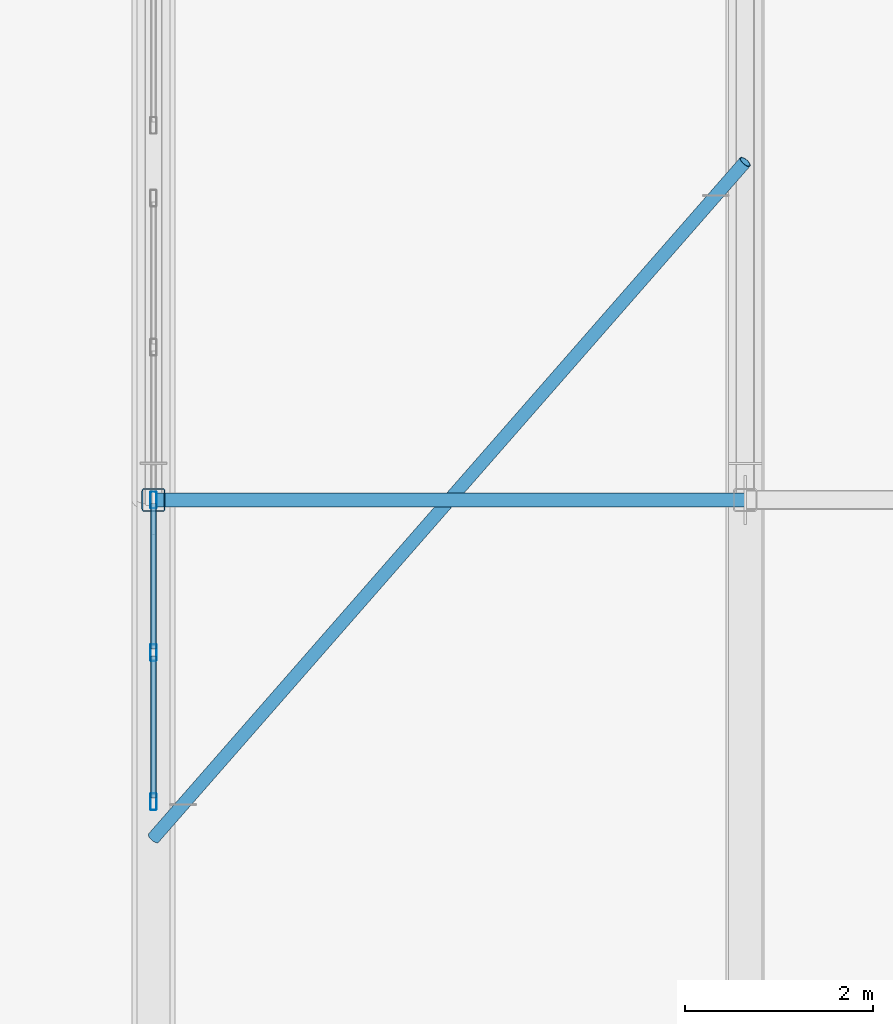
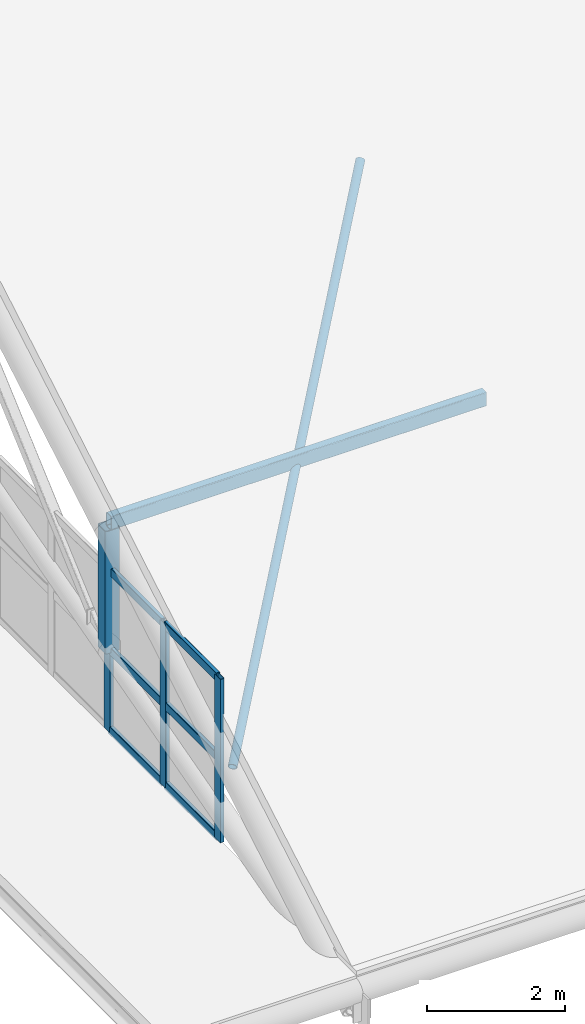
# One storey, part 2 of 54: 12 members, 1 element without a shape of its own.
"""IFC4 building model written with IfcOpenShell, lengths in metres."""

from ifc_helpers import new_model, si_unit, direction, frame, origin, origin_2d, place, context, subcontext, project, spatial, hollow_rectangle, hollow_circle, extrude, material, layer, layer_set, material_profile, profile_set, type_object, element, aggregate, save


model = new_model("IFC4")

# Units and contexts
model_context = context("Model", 3, precision=1e-05, world=origin(), true_north=direction((0.0, 1.0)))
body_context = subcontext(model_context, "Body", "Model", "MODEL_VIEW")
ifc_project = project(units=[si_unit("LENGTHUNIT", "METRE"), si_unit("AREAUNIT", "SQUARE_METRE"), si_unit("VOLUMEUNIT", "CUBIC_METRE"), si_unit("PLANEANGLEUNIT", "RADIAN"), si_unit("MASSUNIT", "GRAM", prefix="KILO")], contexts=[model_context])

# Site, building, storey
site_placement = place(None, origin())
site = spatial("IfcSite", under=ifc_project, at=site_placement, CompositionType="ELEMENT")
building_placement = place(site_placement, origin())
building = spatial("IfcBuilding", under=site, at=building_placement, Name="Zulmaris Art Gallery", CompositionType="ELEMENT")
storey_placement = place(building_placement, frame((0.0, 0.0, 26.39990234375)))
storey = spatial("IfcBuildingStorey", under=building, at=storey_placement, Name="L05", CompositionType="ELEMENT", Elevation=26.39990234375)

# Curtain wall, members
ifc_material_1 = material(Name="Pitched Roof North-Light Clerestory Wall", Category="aluminium")
ifc_layer = layer(ifc_material_1, 0.179931640625)
ifc_layer_set = layer_set([ifc_layer], Name="Pitched Roof North-Light Clerestory Wall")
curtain_wall_type = type_object("IfcCurtainWallType", Name="CW-CW05", PredefinedType="NOTDEFINED", material=ifc_layer_set)
curtain_wall_placement = place(storey_placement, origin())
curtain_wall = element("IfcCurtainWall", 1, at=curtain_wall_placement, inside=storey, type_object=curtain_wall_type, Name="L05 curtain wall 38", PredefinedType="NOTDEFINED")
ifc_material_2 = material(Name="Anodised Bronze Aluminium", Category="aluminium")
ifc_material_profile_1 = material_profile(ifc_material_2, hollow_rectangle(XDim=0.06494140625, YDim=0.179931640625, WallThickness=0.00390625, InnerFilletRadius=0.006103515625, OuterFilletRadius=0.010009765625, at=origin_2d()), Name="ALU 65x180x4")
ifc_profile_set_1 = profile_set([ifc_material_profile_1], Name="Anodised Bronze Aluminium")
member_type_1 = type_object("IfcMemberType", Name="CWMUL-01", PredefinedType="MULLION", material=ifc_profile_set_1)
member_1_placement = place(storey_placement, frame((11.39990234375, 25.58740234375, 0.0), z_axis=(0.0, 0.0, 1.0), x_axis=(-1.0, 0.0, 0.0)))
member_1 = element("IfcMember", 2, at=member_1_placement, type_object=member_type_1, Name="CW05 mullion 1", PredefinedType="MULLION", context=body_context, shape_type="SweptSolid", body=[
    extrude(hollow_rectangle(XDim=0.06494140625, YDim=0.179931640625, WallThickness=0.00390625, InnerFilletRadius=0.006103515625, OuterFilletRadius=0.010009765625, at=origin_2d()), origin(), (0.0, 0.0, 1.0), 2.900146484375),
])
member_2_placement = place(storey_placement, frame((11.39990234375, 27.175048828125, 0.0), z_axis=(0.0, 0.0, 1.0), x_axis=(-1.0, 0.0, 0.0)))
member_2 = element("IfcMember", 3, at=member_2_placement, type_object=member_type_1, Name="CW05 mullion 2", PredefinedType="MULLION", context=body_context, shape_type="SweptSolid", body=[
    extrude(hollow_rectangle(XDim=0.06494140625, YDim=0.179931640625, WallThickness=0.00390625, InnerFilletRadius=0.006103515625, OuterFilletRadius=0.010009765625, at=origin_2d()), origin(), (0.0, 0.0, 1.0), 2.900146484375),
])
member_3_placement = place(storey_placement, frame((11.39990234375, 28.800048828125, 0.0), z_axis=(0.0, 0.0, 1.0), x_axis=(-1.0, 0.0, 0.0)))
member_3 = element("IfcMember", 4, at=member_3_placement, type_object=member_type_1, Name="CW05 mullion 3", PredefinedType="MULLION", context=body_context, shape_type="SweptSolid", body=[
    extrude(hollow_rectangle(XDim=0.06494140625, YDim=0.179931640625, WallThickness=0.00390625, InnerFilletRadius=0.006103515625, OuterFilletRadius=0.010009765625, at=origin_2d()), origin(), (0.0, 0.0, 1.0), 2.900146484375),
])
ifc_material_profile_2 = material_profile(ifc_material_2, hollow_rectangle(XDim=0.06494140625, YDim=0.14990234375, WallThickness=0.00390625, InnerFilletRadius=0.006103515625, OuterFilletRadius=0.010009765625, at=origin_2d()), Name="ALU 65x150x4")
ifc_profile_set_2 = profile_set([ifc_material_profile_2], Name="Anodised Bronze Aluminium")
member_type_2 = type_object("IfcMemberType", Name="CWTRN-01", PredefinedType="USERDEFINED", material=ifc_profile_set_2)
member_4_placement = place(storey_placement, frame((11.39990234375, 25.625, 0.03759765625), z_axis=(0.0, 1.0, 0.0), x_axis=(-1.0, 0.0, 0.0)))
member_4 = element("IfcMember", 5, at=member_4_placement, type_object=member_type_2, Name="CW05 transom 1.1", ObjectType="TRANSOM", PredefinedType="USERDEFINED", context=body_context, shape_type="SweptSolid", body=[
    extrude(hollow_rectangle(XDim=0.06494140625, YDim=0.14990234375, WallThickness=0.00390625, InnerFilletRadius=0.006103515625, OuterFilletRadius=0.010009765625, at=origin_2d()), origin(), (0.0, 0.0, 1.0), 1.512451171875),
])
member_5_placement = place(storey_placement, frame((11.39990234375, 25.625, 1.4501953125), z_axis=(0.0, 1.0, 0.0), x_axis=(-1.0, 0.0, 0.0)))
member_5 = element("IfcMember", 6, at=member_5_placement, type_object=member_type_2, Name="CW05 transom 1.2", ObjectType="TRANSOM", PredefinedType="USERDEFINED", context=body_context, shape_type="SweptSolid", body=[
    extrude(hollow_rectangle(XDim=0.06494140625, YDim=0.14990234375, WallThickness=0.00390625, InnerFilletRadius=0.006103515625, OuterFilletRadius=0.010009765625, at=origin_2d()), origin(), (0.0, 0.0, 1.0), 1.512451171875),
])
member_6_placement = place(storey_placement, frame((11.39990234375, 25.625, 2.862548828125), z_axis=(0.0, 1.0, 0.0), x_axis=(-1.0, 0.0, 0.0)))
member_6 = element("IfcMember", 7, at=member_6_placement, type_object=member_type_2, Name="CW05 transom 1.3", ObjectType="TRANSOM", PredefinedType="USERDEFINED", context=body_context, shape_type="SweptSolid", body=[
    extrude(hollow_rectangle(XDim=0.06494140625, YDim=0.14990234375, WallThickness=0.00390625, InnerFilletRadius=0.006103515625, OuterFilletRadius=0.010009765625, at=origin_2d()), origin(), (0.0, 0.0, 1.0), 1.512451171875),
])
member_7_placement = place(storey_placement, frame((11.39990234375, 27.21240234375, 0.03759765625), z_axis=(0.0, 1.0, 0.0), x_axis=(-1.0, 0.0, 0.0)))
member_7 = element("IfcMember", 8, at=member_7_placement, type_object=member_type_2, Name="CW05 transom 2.1", ObjectType="TRANSOM", PredefinedType="USERDEFINED", context=body_context, shape_type="SweptSolid", body=[
    extrude(hollow_rectangle(XDim=0.06494140625, YDim=0.14990234375, WallThickness=0.00390625, InnerFilletRadius=0.006103515625, OuterFilletRadius=0.010009765625, at=origin_2d()), origin(), (0.0, 0.0, 1.0), 1.550048828125),
])
member_8_placement = place(storey_placement, frame((11.39990234375, 27.21240234375, 1.4501953125), z_axis=(0.0, 1.0, 0.0), x_axis=(-1.0, 0.0, 0.0)))
member_8 = element("IfcMember", 9, at=member_8_placement, type_object=member_type_2, Name="CW05 transom 2.2", ObjectType="TRANSOM", PredefinedType="USERDEFINED", context=body_context, shape_type="SweptSolid", body=[
    extrude(hollow_rectangle(XDim=0.06494140625, YDim=0.14990234375, WallThickness=0.00390625, InnerFilletRadius=0.006103515625, OuterFilletRadius=0.010009765625, at=origin_2d()), origin(), (0.0, 0.0, 1.0), 1.550048828125),
])
member_9_placement = place(storey_placement, frame((11.39990234375, 27.21240234375, 2.862548828125), z_axis=(0.0, 1.0, 0.0), x_axis=(-1.0, 0.0, 0.0)))
member_9 = element("IfcMember", 10, at=member_9_placement, type_object=member_type_2, Name="CW05 transom 2.3", ObjectType="TRANSOM", PredefinedType="USERDEFINED", context=body_context, shape_type="SweptSolid", body=[
    extrude(hollow_rectangle(XDim=0.06494140625, YDim=0.14990234375, WallThickness=0.00390625, InnerFilletRadius=0.006103515625, OuterFilletRadius=0.010009765625, at=origin_2d()), origin(), (0.0, 0.0, 1.0), 1.550048828125),
])
aggregate(curtain_wall, [member_1, member_2, member_3, member_4, member_5, member_6, member_7, member_8, member_9])

# Members
ifc_material_3 = material(Name="Steel S355J2H", Category="steel")
ifc_material_profile_3 = material_profile(ifc_material_3, hollow_circle(Radius=0.06982421875, WallThickness=0.008056640625, at=origin_2d()), Name="CHS 139.7x8")
ifc_profile_set_3 = profile_set([ifc_material_profile_3], Name="Steel S355J2H")
member_type_3 = type_object("IfcMemberType", Name="MEM-BR01", PredefinedType="BRACE", material=ifc_profile_set_3)
member_10_placement = place(storey_placement, frame((11.39990234375, 25.199951171875, 1.52001953125), z_axis=(0.602960929448, 0.689088191062, 0.401989530333), x_axis=(-0.752571952274, 0.658510027752, 0.0)))
element("IfcMember", 11, at=member_10_placement, inside=storey, type_object=member_type_3, Name="Roof wind collector brace 1A", PredefinedType="BRACE", context=body_context, shape_type="SweptSolid", body=[
    extrude(hollow_circle(Radius=0.06982421875, WallThickness=0.008056640625, at=origin_2d()), origin(), (0.0, 0.0, 1.0), 10.448486328125),
])
ifc_material_profile_4 = material_profile(ifc_material_3, hollow_rectangle(XDim=0.14990234375, YDim=0.25, WallThickness=0.010009765625, InnerFilletRadius=0.014892578125, OuterFilletRadius=0.02490234375, at=origin_2d()), Name="RHS 250x150x10")
ifc_profile_set_4 = profile_set([ifc_material_profile_4], Name="Steel S355J2H")
member_type_4 = type_object("IfcMemberType", Name="MEM-PR02", PredefinedType="PURLIN", material=ifc_profile_set_4)
member_11_placement = place(storey_placement, frame((11.39990234375, 28.800048828125, 3.695068359375), z_axis=(1.0, 0.0, 0.0), x_axis=(0.0, 1.0, 0.0)))
element("IfcMember", 12, at=member_11_placement, inside=storey, type_object=member_type_4, Name="Skylight roof purlin bay 1 line 2", PredefinedType="PURLIN", context=body_context, shape_type="SweptSolid", body=[
    extrude(hollow_rectangle(XDim=0.14990234375, YDim=0.25, WallThickness=0.010009765625, InnerFilletRadius=0.014892578125, OuterFilletRadius=0.02490234375, at=origin_2d()), origin(), (0.0, 0.0, 1.0), 6.300048828125),
])
ifc_material_profile_5 = material_profile(ifc_material_3, hollow_rectangle(XDim=0.25, YDim=0.25, WallThickness=0.012451171875, InnerFilletRadius=0.018798828125, OuterFilletRadius=0.03125, at=origin_2d()), Name="SHS 250x250x12.5")
ifc_profile_set_5 = profile_set([ifc_material_profile_5], Name="Steel S355J2H")
member_type_5 = type_object("IfcMemberType", Name="MEM-TP05", PredefinedType="POST", material=ifc_profile_set_5)
member_12_placement = place(storey_placement, frame((11.39990234375, 28.800048828125, 1.4501953125), z_axis=(0.0, 0.0, 1.0), x_axis=(1.0, 0.0, 0.0)))
element("IfcMember", 13, at=member_12_placement, inside=storey, type_object=member_type_5, Name="Pitched gallery truss TR-R01 web post 2", PredefinedType="POST", context=body_context, shape_type="SweptSolid", body=[
    extrude(hollow_rectangle(XDim=0.25, YDim=0.25, WallThickness=0.012451171875, InnerFilletRadius=0.018798828125, OuterFilletRadius=0.03125, at=origin_2d()), origin(), (0.0, 0.0, 1.0), 2.169921875),
])

save(model, "model.ifc")
